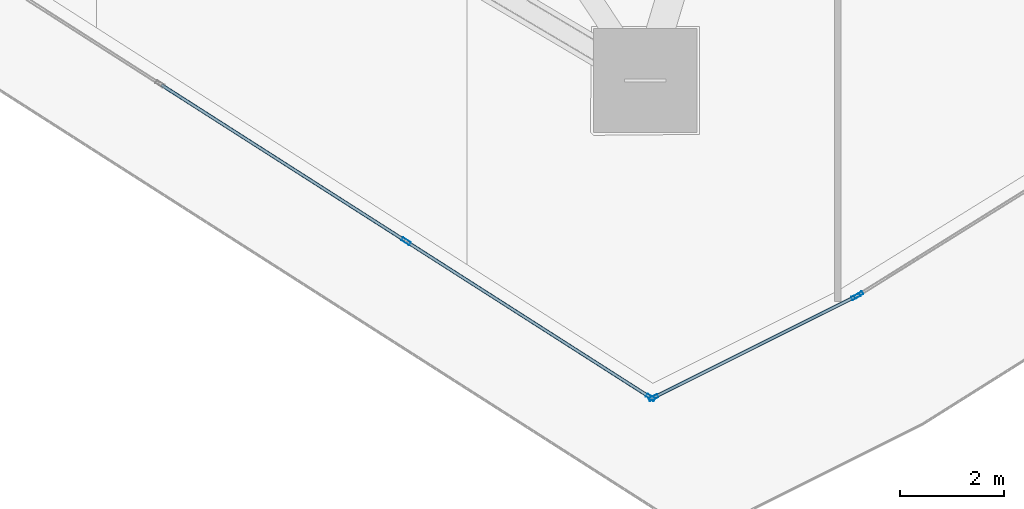
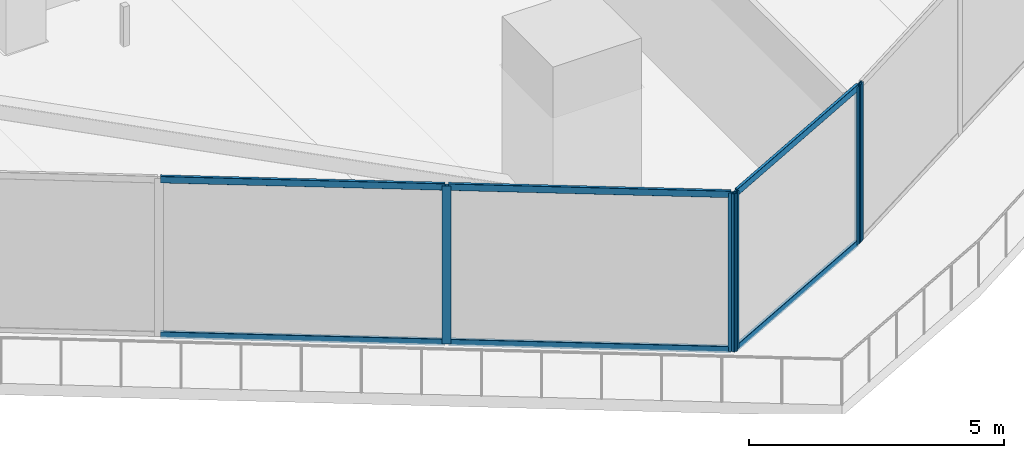
# One storey, part 9 of 39: 11 members, 3 elements without a shape of their own.
"""IFC4 building model written with IfcOpenShell, lengths in metres."""

from ifc_helpers import new_model, si_unit, direction, frame, origin, origin_2d, place, context, subcontext, project, spatial, hollow_rectangle, extrude, material, layer, layer_set, material_profile, profile_set, type_object, element, aggregate, save


model = new_model("IFC4")

# Units and contexts
model_context = context("Model", 3, precision=1e-05, world=origin(), true_north=direction((0.0, 1.0)))
body_context = subcontext(model_context, "Body", "Model", "MODEL_VIEW")
ifc_project = project(units=[si_unit("LENGTHUNIT", "METRE"), si_unit("AREAUNIT", "SQUARE_METRE"), si_unit("VOLUMEUNIT", "CUBIC_METRE"), si_unit("PLANEANGLEUNIT", "RADIAN"), si_unit("MASSUNIT", "GRAM", prefix="KILO")], contexts=[model_context])

# Site, building, storey
site_placement = place(None, origin())
site = spatial("IfcSite", under=ifc_project, at=site_placement, CompositionType="ELEMENT")
building_placement = place(site_placement, origin())
building = spatial("IfcBuilding", under=site, at=building_placement, Name="Qorvath Tower", CompositionType="ELEMENT")
storey_placement = place(building_placement, frame((0.0, 0.0, 201.0)))
storey = spatial("IfcBuildingStorey", under=building, at=storey_placement, Name="L46", CompositionType="ELEMENT", Elevation=201.0)

# Curtain wall, members
ifc_material_1 = material(Name="Anodised aluminium and triple low-E glass", Category="aluminium")
ifc_layer = layer(ifc_material_1, 0.179931640625)
ifc_layer_set = layer_set([ifc_layer], Name="CW-SYS-3")
curtain_wall_type = type_object("IfcCurtainWallType", Name="CW-SYS-3", PredefinedType="NOTDEFINED", material=ifc_layer_set)
curtain_wall_1_placement = place(storey_placement, origin())
curtain_wall_1 = element("IfcCurtainWall", 1, at=curtain_wall_1_placement, inside=storey, type_object=curtain_wall_type, Name="Curtain Wall CW-3 CW-T-L46-2.1", PredefinedType="NOTDEFINED")
ifc_material_2 = material(Name="Anodised aluminium 6063-T6", Category="aluminium")
ifc_material_profile_1 = material_profile(ifc_material_2, hollow_rectangle(XDim=0.06494140625, YDim=0.179931640625, WallThickness=0.00341796875, InnerFilletRadius=0.00341796875, OuterFilletRadius=0.007080078125, at=origin_2d()), Name="CWM 180x65")
ifc_profile_set_1 = profile_set([ifc_material_profile_1], Name="Anodised aluminium 6063-T6")
member_type_1 = type_object("IfcMemberType", Name="CWM-180", PredefinedType="MULLION", material=ifc_profile_set_1)
member_1_placement = place(storey_placement, frame((-21.495361328125, -24.733642578125, 0.0), z_axis=(0.0, 0.0, 1.0), x_axis=(0.538533623725, 0.842604020948, 0.0)))
member_1 = element("IfcMember", 2, at=member_1_placement, type_object=member_type_1, Name="CW-3 mullion 8", PredefinedType="MULLION", context=body_context, shape_type="SweptSolid", body=[
    extrude(hollow_rectangle(XDim=0.06494140625, YDim=0.179931640625, WallThickness=0.00341796875, InnerFilletRadius=0.00341796875, OuterFilletRadius=0.007080078125, at=origin_2d()), origin(), (0.0, 0.0, 1.0), 3.780029296875),
])
member_2_placement = place(storey_placement, frame((-16.770263671875, -27.75341796875, 0.0), z_axis=(0.0, 0.0, 1.0), x_axis=(0.538533623725, 0.842604020948, 0.0)))
member_2 = element("IfcMember", 3, at=member_2_placement, type_object=member_type_1, Name="CW-3 mullion 9", PredefinedType="MULLION", context=body_context, shape_type="SweptSolid", body=[
    extrude(hollow_rectangle(XDim=0.06494140625, YDim=0.179931640625, WallThickness=0.00341796875, InnerFilletRadius=0.00341796875, OuterFilletRadius=0.007080078125, at=origin_2d()), origin(), (0.0, 0.0, 1.0), 3.780029296875),
])

curtain_wall_2_placement = place(storey_placement, origin())
curtain_wall_2 = element("IfcCurtainWall", 4, at=curtain_wall_2_placement, inside=storey, type_object=curtain_wall_type, Name="Curtain Wall CW-3 CW-T-L46-3.1", PredefinedType="NOTDEFINED")
member_3_placement = place(storey_placement, frame((-16.7138671875, -27.75634765625, 0.0), z_axis=(0.0, 0.0, 1.0), x_axis=(-0.44720457744, 0.894431699973, 0.0)))
member_3 = element("IfcMember", 5, at=member_3_placement, type_object=member_type_1, Name="CW-3 mullion 1", PredefinedType="MULLION", context=body_context, shape_type="SweptSolid", body=[
    extrude(hollow_rectangle(XDim=0.06494140625, YDim=0.179931640625, WallThickness=0.00341796875, InnerFilletRadius=0.00341796875, OuterFilletRadius=0.007080078125, at=origin_2d()), origin(), (0.0, 0.0, 1.0), 3.780029296875),
])
member_4_placement = place(storey_placement, frame((-12.8046875, -25.802001953125, 0.0), z_axis=(0.0, 0.0, 1.0), x_axis=(-0.44720457744, 0.894431699973, 0.0)))
member_4 = element("IfcMember", 6, at=member_4_placement, type_object=member_type_1, Name="CW-3 mullion 2", PredefinedType="MULLION", context=body_context, shape_type="SweptSolid", body=[
    extrude(hollow_rectangle(XDim=0.06494140625, YDim=0.179931640625, WallThickness=0.00341796875, InnerFilletRadius=0.00341796875, OuterFilletRadius=0.007080078125, at=origin_2d()), origin(), (0.0, 0.0, 1.0), 3.780029296875),
])

# Curtain wall, member
curtain_wall_3_placement = place(storey_placement, origin())
curtain_wall_3 = element("IfcCurtainWall", 7, at=curtain_wall_3_placement, inside=storey, type_object=curtain_wall_type, Name="Curtain Wall CW-3 CW-T-L46-4.1", PredefinedType="NOTDEFINED")
member_5_placement = place(storey_placement, frame((-12.748046875, -25.770263671875, 0.0), z_axis=(0.0, 0.0, 1.0), x_axis=(-0.529206179006, 0.848493264618, 0.0)))
member_5 = element("IfcMember", 8, at=member_5_placement, type_object=member_type_1, Name="CW-3 mullion 1", PredefinedType="MULLION", context=body_context, shape_type="SweptSolid", body=[
    extrude(hollow_rectangle(XDim=0.06494140625, YDim=0.179931640625, WallThickness=0.00341796875, InnerFilletRadius=0.00341796875, OuterFilletRadius=0.007080078125, at=origin_2d()), origin(), (0.0, 0.0, 1.0), 3.780029296875),
])
aggregate(curtain_wall_3, [member_5])

# Member
ifc_material_3 = material(Name="Anodised aluminium 6063-T6", Category="aluminium")
ifc_material_profile_2 = material_profile(ifc_material_3, hollow_rectangle(XDim=0.06494140625, YDim=0.159912109375, WallThickness=0.00341796875, InnerFilletRadius=0.00341796875, OuterFilletRadius=0.007080078125, at=origin_2d()), Name="CWT 160x65")
ifc_profile_set_2 = profile_set([ifc_material_profile_2], Name="Anodised aluminium 6063-T6")
member_type_2 = type_object("IfcMemberType", Name="CWT-160", PredefinedType="USERDEFINED", material=ifc_profile_set_2)
member_6_placement = place(storey_placement, frame((-26.220458984375, -21.713623046875, 0.032470703125), z_axis=(0.842606844645, -0.538529205667, 0.0), x_axis=(0.538529205667, 0.842606844645, 0.0)))
member_6 = element("IfcMember", 9, at=member_6_placement, type_object=member_type_2, Name="CW-3 transom 7.1", ObjectType="TRANSOM", PredefinedType="USERDEFINED", context=body_context, shape_type="SweptSolid", body=[
    extrude(hollow_rectangle(XDim=0.06494140625, YDim=0.159912109375, WallThickness=0.00341796875, InnerFilletRadius=0.00341796875, OuterFilletRadius=0.007080078125, at=origin_2d()), origin(), (0.0, 0.0, 1.0), 5.5751953125),
])

member_7_placement = place(storey_placement, frame((-26.220458984375, -21.713623046875, 3.74755859375), z_axis=(0.842606844645, -0.538529205667, 0.0), x_axis=(0.538529205667, 0.842606844645, 0.0)))
member_7 = element("IfcMember", 10, at=member_7_placement, type_object=member_type_2, Name="CW-3 transom 7.2", ObjectType="TRANSOM", PredefinedType="USERDEFINED", context=body_context, shape_type="SweptSolid", body=[
    extrude(hollow_rectangle(XDim=0.06494140625, YDim=0.159912109375, WallThickness=0.00341796875, InnerFilletRadius=0.00341796875, OuterFilletRadius=0.007080078125, at=origin_2d()), origin(), (0.0, 0.0, 1.0), 5.5751953125),
])

member_8_placement = place(storey_placement, frame((-21.468017578125, -24.7509765625, 0.032470703125), z_axis=(0.842595217297, -0.538547397903, 0.0), x_axis=(0.538547397903, 0.842595217297, 0.0)))
member_8 = element("IfcMember", 11, at=member_8_placement, type_object=member_type_2, Name="CW-3 transom 8.1", ObjectType="TRANSOM", PredefinedType="USERDEFINED", context=body_context, shape_type="SweptSolid", body=[
    extrude(hollow_rectangle(XDim=0.06494140625, YDim=0.159912109375, WallThickness=0.00341796875, InnerFilletRadius=0.00341796875, OuterFilletRadius=0.007080078125, at=origin_2d()), origin(), (0.0, 0.0, 1.0), 5.54296875),
])

member_9_placement = place(storey_placement, frame((-21.468017578125, -24.7509765625, 3.74755859375), z_axis=(0.842595217297, -0.538547397903, 0.0), x_axis=(0.538547397903, 0.842595217297, 0.0)))
member_9 = element("IfcMember", 12, at=member_9_placement, type_object=member_type_2, Name="CW-3 transom 8.2", ObjectType="TRANSOM", PredefinedType="USERDEFINED", context=body_context, shape_type="SweptSolid", body=[
    extrude(hollow_rectangle(XDim=0.06494140625, YDim=0.159912109375, WallThickness=0.00341796875, InnerFilletRadius=0.00341796875, OuterFilletRadius=0.007080078125, at=origin_2d()), origin(), (0.0, 0.0, 1.0), 5.54296875),
])

aggregate(curtain_wall_1, [member_1, member_2, member_6, member_7, member_8, member_9])

member_10_placement = place(storey_placement, frame((-16.684814453125, -27.741943359375, 0.032470703125), z_axis=(0.894427191, 0.4472135955, 0.0), x_axis=(-0.4472135955, 0.894427191, 0.0)))
member_10 = element("IfcMember", 13, at=member_10_placement, type_object=member_type_2, Name="CW-3 transom 1.1", ObjectType="TRANSOM", PredefinedType="USERDEFINED", context=body_context, shape_type="SweptSolid", body=[
    extrude(hollow_rectangle(XDim=0.06494140625, YDim=0.159912109375, WallThickness=0.00341796875, InnerFilletRadius=0.00341796875, OuterFilletRadius=0.007080078125, at=origin_2d()), origin(), (0.0, 0.0, 1.0), 4.3056640625),
])

member_11_placement = place(storey_placement, frame((-16.684814453125, -27.741943359375, 3.74755859375), z_axis=(0.894427191, 0.4472135955, 0.0), x_axis=(-0.4472135955, 0.894427191, 0.0)))
member_11 = element("IfcMember", 14, at=member_11_placement, type_object=member_type_2, Name="CW-3 transom 1.2", ObjectType="TRANSOM", PredefinedType="USERDEFINED", context=body_context, shape_type="SweptSolid", body=[
    extrude(hollow_rectangle(XDim=0.06494140625, YDim=0.159912109375, WallThickness=0.00341796875, InnerFilletRadius=0.00341796875, OuterFilletRadius=0.007080078125, at=origin_2d()), origin(), (0.0, 0.0, 1.0), 4.3056640625),
])

aggregate(curtain_wall_2, [member_3, member_4, member_10, member_11])

save(model, "model.ifc")
